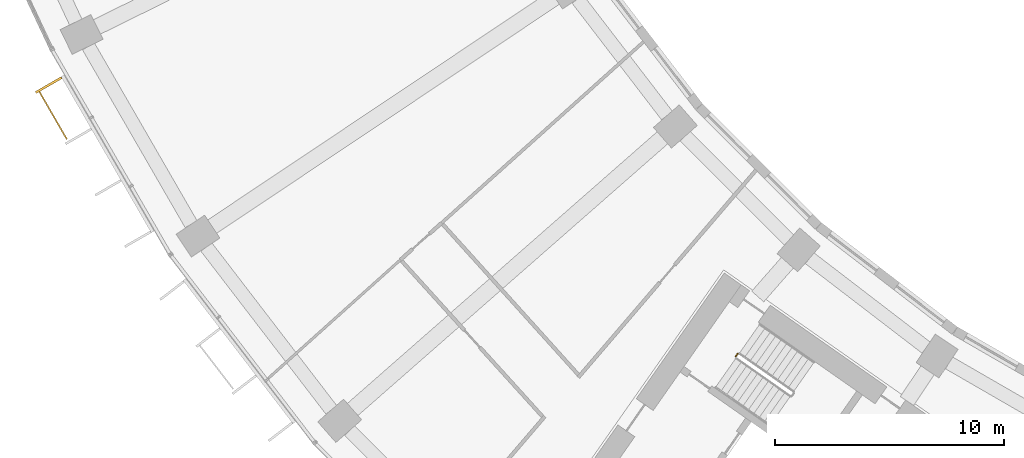
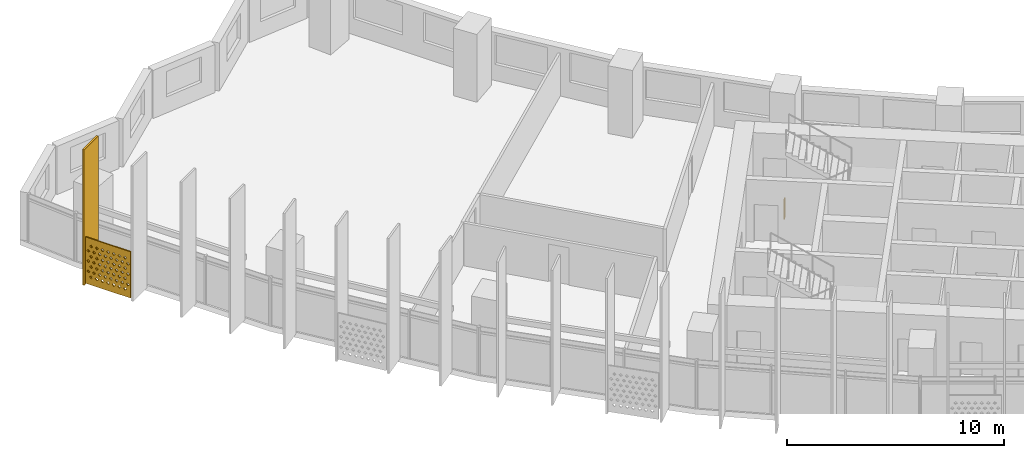
# One storey, part 27 of 30: 2 shading devices, 1 railing.
"""IFC4 building model written with IfcOpenShell, lengths in metres."""

from ifc_helpers import new_model, si_unit, direction, frame, origin, origin_2d, place, context, subcontext, project, spatial, polyline, rectangle, circle, outline, extrude, material, material_profile, profile_set, type_object, element, save


model = new_model("IFC4")

# Units and contexts
model_context = context("Model", 3, precision=1e-05, world=origin(), true_north=direction((0.0, 1.0)))
body_context = subcontext(model_context, "Body", "Model", "MODEL_VIEW")
ifc_project = project(units=[si_unit("LENGTHUNIT", "METRE"), si_unit("AREAUNIT", "SQUARE_METRE"), si_unit("VOLUMEUNIT", "CUBIC_METRE"), si_unit("PLANEANGLEUNIT", "RADIAN"), si_unit("MASSUNIT", "GRAM", prefix="KILO")], contexts=[model_context])

# Site, building, storey
site_placement = place(None, origin())
site = spatial("IfcSite", under=ifc_project, at=site_placement, CompositionType="ELEMENT")
building_placement = place(site_placement, origin())
building = spatial("IfcBuilding", under=site, at=building_placement, Name="Qamariyya Broadcast Tower", CompositionType="ELEMENT")
storey_placement = place(building_placement, frame((0.0, 0.0, 125.300048828125)))
storey = spatial("IfcBuildingStorey", under=building, at=storey_placement, Name="L28", CompositionType="ELEMENT", Elevation=125.300048828125)

# Shading device
ifc_material_1 = material(Name="Perforated glazed terracotta", Category="masonry")
ifc_material_profile_1 = material_profile(ifc_material_1, outline(polyline([(-1.199951171875, -1.300048828125), (1.199951171875, -1.300048828125), (1.199951171875, 1.300048828125), (-1.199951171875, 1.300048828125), (-1.199951171875, -1.300048828125)]), holes=[polyline([(-0.81494140625, -0.86669921875), (-0.89990234375, -0.78173828125), (-0.985107421875, -0.86669921875), (-0.89990234375, -0.95166015625), (-0.81494140625, -0.86669921875)]), polyline([(-0.514892578125, -0.86669921875), (-0.60009765625, -0.78173828125), (-0.68505859375, -0.86669921875), (-0.60009765625, -0.95166015625), (-0.514892578125, -0.86669921875)]), polyline([(-0.215087890625, -0.86669921875), (-0.300048828125, -0.78173828125), (-0.385009765625, -0.86669921875), (-0.300048828125, -0.95166015625), (-0.215087890625, -0.86669921875)]), polyline([(0.0849609375, -0.86669921875), (0.0, -0.78173828125), (-0.0849609375, -0.86669921875), (0.0, -0.95166015625), (0.0849609375, -0.86669921875)]), polyline([(0.385009765625, -0.86669921875), (0.300048828125, -0.78173828125), (0.215087890625, -0.86669921875), (0.300048828125, -0.95166015625), (0.385009765625, -0.86669921875)]), polyline([(0.68505859375, -0.86669921875), (0.60009765625, -0.78173828125), (0.514892578125, -0.86669921875), (0.60009765625, -0.95166015625), (0.68505859375, -0.86669921875)]), polyline([(0.985107421875, -0.86669921875), (0.89990234375, -0.78173828125), (0.81494140625, -0.86669921875), (0.89990234375, -0.95166015625), (0.985107421875, -0.86669921875)]), polyline([(-0.965087890625, -0.577880859375), (-1.050048828125, -0.49267578125), (-1.135009765625, -0.577880859375), (-1.050048828125, -0.662841796875), (-0.965087890625, -0.577880859375)]), polyline([(-0.6650390625, -0.577880859375), (-0.75, -0.49267578125), (-0.8349609375, -0.577880859375), (-0.75, -0.662841796875), (-0.6650390625, -0.577880859375)]), polyline([(-0.364990234375, -0.577880859375), (-0.449951171875, -0.49267578125), (-0.534912109375, -0.577880859375), (-0.449951171875, -0.662841796875), (-0.364990234375, -0.577880859375)]), polyline([(-0.06494140625, -0.577880859375), (-0.14990234375, -0.49267578125), (-0.235107421875, -0.577880859375), (-0.14990234375, -0.662841796875), (-0.06494140625, -0.577880859375)]), polyline([(0.235107421875, -0.577880859375), (0.14990234375, -0.49267578125), (0.06494140625, -0.577880859375), (0.14990234375, -0.662841796875), (0.235107421875, -0.577880859375)]), polyline([(0.534912109375, -0.577880859375), (0.449951171875, -0.49267578125), (0.364990234375, -0.577880859375), (0.449951171875, -0.662841796875), (0.534912109375, -0.577880859375)]), polyline([(0.8349609375, -0.577880859375), (0.75, -0.49267578125), (0.6650390625, -0.577880859375), (0.75, -0.662841796875), (0.8349609375, -0.577880859375)]), polyline([(1.135009765625, -0.577880859375), (1.050048828125, -0.49267578125), (0.965087890625, -0.577880859375), (1.050048828125, -0.662841796875), (1.135009765625, -0.577880859375)]), polyline([(-0.81494140625, -0.288818359375), (-0.89990234375, -0.203857421875), (-0.985107421875, -0.288818359375), (-0.89990234375, -0.373779296875), (-0.81494140625, -0.288818359375)]), polyline([(-0.514892578125, -0.288818359375), (-0.60009765625, -0.203857421875), (-0.68505859375, -0.288818359375), (-0.60009765625, -0.373779296875), (-0.514892578125, -0.288818359375)]), polyline([(-0.215087890625, -0.288818359375), (-0.300048828125, -0.203857421875), (-0.385009765625, -0.288818359375), (-0.300048828125, -0.373779296875), (-0.215087890625, -0.288818359375)]), polyline([(0.0849609375, -0.288818359375), (0.0, -0.203857421875), (-0.0849609375, -0.288818359375), (0.0, -0.373779296875), (0.0849609375, -0.288818359375)]), polyline([(0.385009765625, -0.288818359375), (0.300048828125, -0.203857421875), (0.215087890625, -0.288818359375), (0.300048828125, -0.373779296875), (0.385009765625, -0.288818359375)]), polyline([(0.68505859375, -0.288818359375), (0.60009765625, -0.203857421875), (0.514892578125, -0.288818359375), (0.60009765625, -0.373779296875), (0.68505859375, -0.288818359375)]), polyline([(0.985107421875, -0.288818359375), (0.89990234375, -0.203857421875), (0.81494140625, -0.288818359375), (0.89990234375, -0.373779296875), (0.985107421875, -0.288818359375)]), polyline([(-0.965087890625, 0.0), (-1.050048828125, 0.0849609375), (-1.135009765625, 0.0), (-1.050048828125, -0.0849609375), (-0.965087890625, 0.0)]), polyline([(-0.6650390625, 0.0), (-0.75, 0.0849609375), (-0.8349609375, 0.0), (-0.75, -0.0849609375), (-0.6650390625, 0.0)]), polyline([(-0.364990234375, 0.0), (-0.449951171875, 0.0849609375), (-0.534912109375, 0.0), (-0.449951171875, -0.0849609375), (-0.364990234375, 0.0)]), polyline([(-0.06494140625, 0.0), (-0.14990234375, 0.0849609375), (-0.235107421875, 0.0), (-0.14990234375, -0.0849609375), (-0.06494140625, 0.0)]), polyline([(0.235107421875, 0.0), (0.14990234375, 0.0849609375), (0.06494140625, 0.0), (0.14990234375, -0.0849609375), (0.235107421875, 0.0)]), polyline([(0.534912109375, 0.0), (0.449951171875, 0.0849609375), (0.364990234375, 0.0), (0.449951171875, -0.0849609375), (0.534912109375, 0.0)]), polyline([(0.8349609375, 0.0), (0.75, 0.0849609375), (0.6650390625, 0.0), (0.75, -0.0849609375), (0.8349609375, 0.0)]), polyline([(1.135009765625, 0.0), (1.050048828125, 0.0849609375), (0.965087890625, 0.0), (1.050048828125, -0.0849609375), (1.135009765625, 0.0)]), polyline([(-0.81494140625, 0.288818359375), (-0.89990234375, 0.373779296875), (-0.985107421875, 0.288818359375), (-0.89990234375, 0.203857421875), (-0.81494140625, 0.288818359375)]), polyline([(-0.514892578125, 0.288818359375), (-0.60009765625, 0.373779296875), (-0.68505859375, 0.288818359375), (-0.60009765625, 0.203857421875), (-0.514892578125, 0.288818359375)]), polyline([(-0.215087890625, 0.288818359375), (-0.300048828125, 0.373779296875), (-0.385009765625, 0.288818359375), (-0.300048828125, 0.203857421875), (-0.215087890625, 0.288818359375)]), polyline([(0.0849609375, 0.288818359375), (0.0, 0.373779296875), (-0.0849609375, 0.288818359375), (0.0, 0.203857421875), (0.0849609375, 0.288818359375)]), polyline([(0.385009765625, 0.288818359375), (0.300048828125, 0.373779296875), (0.215087890625, 0.288818359375), (0.300048828125, 0.203857421875), (0.385009765625, 0.288818359375)]), polyline([(0.68505859375, 0.288818359375), (0.60009765625, 0.373779296875), (0.514892578125, 0.288818359375), (0.60009765625, 0.203857421875), (0.68505859375, 0.288818359375)]), polyline([(0.985107421875, 0.288818359375), (0.89990234375, 0.373779296875), (0.81494140625, 0.288818359375), (0.89990234375, 0.203857421875), (0.985107421875, 0.288818359375)]), polyline([(-0.965087890625, 0.577880859375), (-1.050048828125, 0.662841796875), (-1.135009765625, 0.577880859375), (-1.050048828125, 0.49267578125), (-0.965087890625, 0.577880859375)]), polyline([(-0.6650390625, 0.577880859375), (-0.75, 0.662841796875), (-0.8349609375, 0.577880859375), (-0.75, 0.49267578125), (-0.6650390625, 0.577880859375)]), polyline([(-0.364990234375, 0.577880859375), (-0.449951171875, 0.662841796875), (-0.534912109375, 0.577880859375), (-0.449951171875, 0.49267578125), (-0.364990234375, 0.577880859375)]), polyline([(-0.06494140625, 0.577880859375), (-0.14990234375, 0.662841796875), (-0.235107421875, 0.577880859375), (-0.14990234375, 0.49267578125), (-0.06494140625, 0.577880859375)]), polyline([(0.235107421875, 0.577880859375), (0.14990234375, 0.662841796875), (0.06494140625, 0.577880859375), (0.14990234375, 0.49267578125), (0.235107421875, 0.577880859375)]), polyline([(0.534912109375, 0.577880859375), (0.449951171875, 0.662841796875), (0.364990234375, 0.577880859375), (0.449951171875, 0.49267578125), (0.534912109375, 0.577880859375)]), polyline([(0.8349609375, 0.577880859375), (0.75, 0.662841796875), (0.6650390625, 0.577880859375), (0.75, 0.49267578125), (0.8349609375, 0.577880859375)]), polyline([(1.135009765625, 0.577880859375), (1.050048828125, 0.662841796875), (0.965087890625, 0.577880859375), (1.050048828125, 0.49267578125), (1.135009765625, 0.577880859375)]), polyline([(-0.81494140625, 0.86669921875), (-0.89990234375, 0.95166015625), (-0.985107421875, 0.86669921875), (-0.89990234375, 0.78173828125), (-0.81494140625, 0.86669921875)]), polyline([(-0.514892578125, 0.86669921875), (-0.60009765625, 0.95166015625), (-0.68505859375, 0.86669921875), (-0.60009765625, 0.78173828125), (-0.514892578125, 0.86669921875)]), polyline([(-0.215087890625, 0.86669921875), (-0.300048828125, 0.95166015625), (-0.385009765625, 0.86669921875), (-0.300048828125, 0.78173828125), (-0.215087890625, 0.86669921875)]), polyline([(0.0849609375, 0.86669921875), (0.0, 0.95166015625), (-0.0849609375, 0.86669921875), (0.0, 0.78173828125), (0.0849609375, 0.86669921875)]), polyline([(0.385009765625, 0.86669921875), (0.300048828125, 0.95166015625), (0.215087890625, 0.86669921875), (0.300048828125, 0.78173828125), (0.385009765625, 0.86669921875)]), polyline([(0.68505859375, 0.86669921875), (0.60009765625, 0.95166015625), (0.514892578125, 0.86669921875), (0.60009765625, 0.78173828125), (0.68505859375, 0.86669921875)]), polyline([(0.985107421875, 0.86669921875), (0.89990234375, 0.95166015625), (0.81494140625, 0.86669921875), (0.89990234375, 0.78173828125), (0.985107421875, 0.86669921875)])]))
ifc_profile_set_1 = profile_set([ifc_material_profile_1], Name="Perforated glazed terracotta")
shading_device_type_1 = type_object("IfcShadingDeviceType", Name="Perforated terracotta screen 2400 x 2600", PredefinedType="USERDEFINED", material=ifc_profile_set_1)
shading_device_1_placement = place(storey_placement, frame((-70.948486328125, -37.913818359375, 1.349853515625), z_axis=(-0.865982457891, -0.500074377092, 0.0), x_axis=(0.500074377092, -0.865982457891, 0.0)))
element("IfcShadingDevice", 1, at=shading_device_1_placement, inside=storey, type_object=shading_device_type_1, Name="e-scr-L28-01-0", ObjectType="SCREEN", PredefinedType="USERDEFINED", context=body_context, shape_type="SweptSolid", body=[
    extrude(outline(polyline([(-1.199951171875, -1.300048828125), (1.199951171875, -1.300048828125), (1.199951171875, 1.300048828125), (-1.199951171875, 1.300048828125), (-1.199951171875, -1.300048828125)]), holes=[polyline([(-0.81494140625, -0.86669921875), (-0.89990234375, -0.78173828125), (-0.985107421875, -0.86669921875), (-0.89990234375, -0.95166015625), (-0.81494140625, -0.86669921875)]), polyline([(-0.514892578125, -0.86669921875), (-0.60009765625, -0.78173828125), (-0.68505859375, -0.86669921875), (-0.60009765625, -0.95166015625), (-0.514892578125, -0.86669921875)]), polyline([(-0.215087890625, -0.86669921875), (-0.300048828125, -0.78173828125), (-0.385009765625, -0.86669921875), (-0.300048828125, -0.95166015625), (-0.215087890625, -0.86669921875)]), polyline([(0.0849609375, -0.86669921875), (0.0, -0.78173828125), (-0.0849609375, -0.86669921875), (0.0, -0.95166015625), (0.0849609375, -0.86669921875)]), polyline([(0.385009765625, -0.86669921875), (0.300048828125, -0.78173828125), (0.215087890625, -0.86669921875), (0.300048828125, -0.95166015625), (0.385009765625, -0.86669921875)]), polyline([(0.68505859375, -0.86669921875), (0.60009765625, -0.78173828125), (0.514892578125, -0.86669921875), (0.60009765625, -0.95166015625), (0.68505859375, -0.86669921875)]), polyline([(0.985107421875, -0.86669921875), (0.89990234375, -0.78173828125), (0.81494140625, -0.86669921875), (0.89990234375, -0.95166015625), (0.985107421875, -0.86669921875)]), polyline([(-0.965087890625, -0.577880859375), (-1.050048828125, -0.49267578125), (-1.135009765625, -0.577880859375), (-1.050048828125, -0.662841796875), (-0.965087890625, -0.577880859375)]), polyline([(-0.6650390625, -0.577880859375), (-0.75, -0.49267578125), (-0.8349609375, -0.577880859375), (-0.75, -0.662841796875), (-0.6650390625, -0.577880859375)]), polyline([(-0.364990234375, -0.577880859375), (-0.449951171875, -0.49267578125), (-0.534912109375, -0.577880859375), (-0.449951171875, -0.662841796875), (-0.364990234375, -0.577880859375)]), polyline([(-0.06494140625, -0.577880859375), (-0.14990234375, -0.49267578125), (-0.235107421875, -0.577880859375), (-0.14990234375, -0.662841796875), (-0.06494140625, -0.577880859375)]), polyline([(0.235107421875, -0.577880859375), (0.14990234375, -0.49267578125), (0.06494140625, -0.577880859375), (0.14990234375, -0.662841796875), (0.235107421875, -0.577880859375)]), polyline([(0.534912109375, -0.577880859375), (0.449951171875, -0.49267578125), (0.364990234375, -0.577880859375), (0.449951171875, -0.662841796875), (0.534912109375, -0.577880859375)]), polyline([(0.8349609375, -0.577880859375), (0.75, -0.49267578125), (0.6650390625, -0.577880859375), (0.75, -0.662841796875), (0.8349609375, -0.577880859375)]), polyline([(1.135009765625, -0.577880859375), (1.050048828125, -0.49267578125), (0.965087890625, -0.577880859375), (1.050048828125, -0.662841796875), (1.135009765625, -0.577880859375)]), polyline([(-0.81494140625, -0.288818359375), (-0.89990234375, -0.203857421875), (-0.985107421875, -0.288818359375), (-0.89990234375, -0.373779296875), (-0.81494140625, -0.288818359375)]), polyline([(-0.514892578125, -0.288818359375), (-0.60009765625, -0.203857421875), (-0.68505859375, -0.288818359375), (-0.60009765625, -0.373779296875), (-0.514892578125, -0.288818359375)]), polyline([(-0.215087890625, -0.288818359375), (-0.300048828125, -0.203857421875), (-0.385009765625, -0.288818359375), (-0.300048828125, -0.373779296875), (-0.215087890625, -0.288818359375)]), polyline([(0.0849609375, -0.288818359375), (0.0, -0.203857421875), (-0.0849609375, -0.288818359375), (0.0, -0.373779296875), (0.0849609375, -0.288818359375)]), polyline([(0.385009765625, -0.288818359375), (0.300048828125, -0.203857421875), (0.215087890625, -0.288818359375), (0.300048828125, -0.373779296875), (0.385009765625, -0.288818359375)]), polyline([(0.68505859375, -0.288818359375), (0.60009765625, -0.203857421875), (0.514892578125, -0.288818359375), (0.60009765625, -0.373779296875), (0.68505859375, -0.288818359375)]), polyline([(0.985107421875, -0.288818359375), (0.89990234375, -0.203857421875), (0.81494140625, -0.288818359375), (0.89990234375, -0.373779296875), (0.985107421875, -0.288818359375)]), polyline([(-0.965087890625, 0.0), (-1.050048828125, 0.0849609375), (-1.135009765625, 0.0), (-1.050048828125, -0.0849609375), (-0.965087890625, 0.0)]), polyline([(-0.6650390625, 0.0), (-0.75, 0.0849609375), (-0.8349609375, 0.0), (-0.75, -0.0849609375), (-0.6650390625, 0.0)]), polyline([(-0.364990234375, 0.0), (-0.449951171875, 0.0849609375), (-0.534912109375, 0.0), (-0.449951171875, -0.0849609375), (-0.364990234375, 0.0)]), polyline([(-0.06494140625, 0.0), (-0.14990234375, 0.0849609375), (-0.235107421875, 0.0), (-0.14990234375, -0.0849609375), (-0.06494140625, 0.0)]), polyline([(0.235107421875, 0.0), (0.14990234375, 0.0849609375), (0.06494140625, 0.0), (0.14990234375, -0.0849609375), (0.235107421875, 0.0)]), polyline([(0.534912109375, 0.0), (0.449951171875, 0.0849609375), (0.364990234375, 0.0), (0.449951171875, -0.0849609375), (0.534912109375, 0.0)]), polyline([(0.8349609375, 0.0), (0.75, 0.0849609375), (0.6650390625, 0.0), (0.75, -0.0849609375), (0.8349609375, 0.0)]), polyline([(1.135009765625, 0.0), (1.050048828125, 0.0849609375), (0.965087890625, 0.0), (1.050048828125, -0.0849609375), (1.135009765625, 0.0)]), polyline([(-0.81494140625, 0.288818359375), (-0.89990234375, 0.373779296875), (-0.985107421875, 0.288818359375), (-0.89990234375, 0.203857421875), (-0.81494140625, 0.288818359375)]), polyline([(-0.514892578125, 0.288818359375), (-0.60009765625, 0.373779296875), (-0.68505859375, 0.288818359375), (-0.60009765625, 0.203857421875), (-0.514892578125, 0.288818359375)]), polyline([(-0.215087890625, 0.288818359375), (-0.300048828125, 0.373779296875), (-0.385009765625, 0.288818359375), (-0.300048828125, 0.203857421875), (-0.215087890625, 0.288818359375)]), polyline([(0.0849609375, 0.288818359375), (0.0, 0.373779296875), (-0.0849609375, 0.288818359375), (0.0, 0.203857421875), (0.0849609375, 0.288818359375)]), polyline([(0.385009765625, 0.288818359375), (0.300048828125, 0.373779296875), (0.215087890625, 0.288818359375), (0.300048828125, 0.203857421875), (0.385009765625, 0.288818359375)]), polyline([(0.68505859375, 0.288818359375), (0.60009765625, 0.373779296875), (0.514892578125, 0.288818359375), (0.60009765625, 0.203857421875), (0.68505859375, 0.288818359375)]), polyline([(0.985107421875, 0.288818359375), (0.89990234375, 0.373779296875), (0.81494140625, 0.288818359375), (0.89990234375, 0.203857421875), (0.985107421875, 0.288818359375)]), polyline([(-0.965087890625, 0.577880859375), (-1.050048828125, 0.662841796875), (-1.135009765625, 0.577880859375), (-1.050048828125, 0.49267578125), (-0.965087890625, 0.577880859375)]), polyline([(-0.6650390625, 0.577880859375), (-0.75, 0.662841796875), (-0.8349609375, 0.577880859375), (-0.75, 0.49267578125), (-0.6650390625, 0.577880859375)]), polyline([(-0.364990234375, 0.577880859375), (-0.449951171875, 0.662841796875), (-0.534912109375, 0.577880859375), (-0.449951171875, 0.49267578125), (-0.364990234375, 0.577880859375)]), polyline([(-0.06494140625, 0.577880859375), (-0.14990234375, 0.662841796875), (-0.235107421875, 0.577880859375), (-0.14990234375, 0.49267578125), (-0.06494140625, 0.577880859375)]), polyline([(0.235107421875, 0.577880859375), (0.14990234375, 0.662841796875), (0.06494140625, 0.577880859375), (0.14990234375, 0.49267578125), (0.235107421875, 0.577880859375)]), polyline([(0.534912109375, 0.577880859375), (0.449951171875, 0.662841796875), (0.364990234375, 0.577880859375), (0.449951171875, 0.49267578125), (0.534912109375, 0.577880859375)]), polyline([(0.8349609375, 0.577880859375), (0.75, 0.662841796875), (0.6650390625, 0.577880859375), (0.75, 0.49267578125), (0.8349609375, 0.577880859375)]), polyline([(1.135009765625, 0.577880859375), (1.050048828125, 0.662841796875), (0.965087890625, 0.577880859375), (1.050048828125, 0.49267578125), (1.135009765625, 0.577880859375)]), polyline([(-0.81494140625, 0.86669921875), (-0.89990234375, 0.95166015625), (-0.985107421875, 0.86669921875), (-0.89990234375, 0.78173828125), (-0.81494140625, 0.86669921875)]), polyline([(-0.514892578125, 0.86669921875), (-0.60009765625, 0.95166015625), (-0.68505859375, 0.86669921875), (-0.60009765625, 0.78173828125), (-0.514892578125, 0.86669921875)]), polyline([(-0.215087890625, 0.86669921875), (-0.300048828125, 0.95166015625), (-0.385009765625, 0.86669921875), (-0.300048828125, 0.78173828125), (-0.215087890625, 0.86669921875)]), polyline([(0.0849609375, 0.86669921875), (0.0, 0.95166015625), (-0.0849609375, 0.86669921875), (0.0, 0.78173828125), (0.0849609375, 0.86669921875)]), polyline([(0.385009765625, 0.86669921875), (0.300048828125, 0.95166015625), (0.215087890625, 0.86669921875), (0.300048828125, 0.78173828125), (0.385009765625, 0.86669921875)]), polyline([(0.68505859375, 0.86669921875), (0.60009765625, 0.95166015625), (0.514892578125, 0.86669921875), (0.60009765625, 0.78173828125), (0.68505859375, 0.86669921875)]), polyline([(0.985107421875, 0.86669921875), (0.89990234375, 0.95166015625), (0.81494140625, 0.86669921875), (0.89990234375, 0.78173828125), (0.985107421875, 0.86669921875)])]), origin(), (0.0, 0.0, 1.0), 0.06005859375),
])

# Railing
ifc_material_2 = material(Name="Painted steel", Category="steel")
railing_type = type_object("IfcRailingType", Name="Stair guard", PredefinedType="GUARDRAIL", material=ifc_material_2)
railing_placement = place(storey_placement, frame((-41.158935546875, -48.455322265625, 0.0)))
element("IfcRailing", 2, at=railing_placement, inside=storey, type_object=railing_type, Name="L28 ST-W2 stair guard 3", PredefinedType="GUARDRAIL", context=body_context, shape_type="SweptSolid", body=[
    extrude(circle(Radius=0.02392578125, at=origin_2d()), frame((0.0, 0.0, 1.076171875), z_axis=(0.572588637393, 0.819842821722, 0.0), x_axis=(-0.819842821722, 0.572588637393, 0.0)), (0.0, 0.0, 1.0), 0.150146484375),
    extrude(circle(Radius=0.02099609375, at=origin_2d()), origin(), (0.0, 0.0, 1.0), 1.052001953125),
    extrude(circle(Radius=0.02099609375, at=origin_2d()), frame((0.0859375, 0.123046875, 0.0)), (0.0, 0.0, 1.0), 1.052001953125),
])

# Shading device
ifc_material_3 = material(Name="Glazed terracotta", Category="masonry")
ifc_material_profile_2 = material_profile(ifc_material_3, rectangle(XDim=1.300048828125, YDim=0.10009765625, at=origin_2d()))
ifc_profile_set_2 = profile_set([ifc_material_profile_2], Name="Glazed terracotta")
shading_device_type_2 = type_object("IfcShadingDeviceType", Name="Terracotta fin 100 x 1300", PredefinedType="USERDEFINED", material=ifc_profile_set_2)
shading_device_2_placement = place(storey_placement, frame((-71.16650390625, -36.596435546875, 0.0), z_axis=(0.0, 0.0, 1.0), x_axis=(-0.866025403784, -0.5, 0.0)))
element("IfcShadingDevice", 3, at=shading_device_2_placement, inside=storey, type_object=shading_device_type_2, Name="e-fin-L28-01-0", ObjectType="FIN", PredefinedType="USERDEFINED", context=body_context, shape_type="SweptSolid", body=[
    extrude(rectangle(XDim=1.300048828125, YDim=0.10009765625, at=origin_2d()), origin(), (0.0, 0.0, 1.0), 7.599853515625),
])

save(model, "model.ifc")
